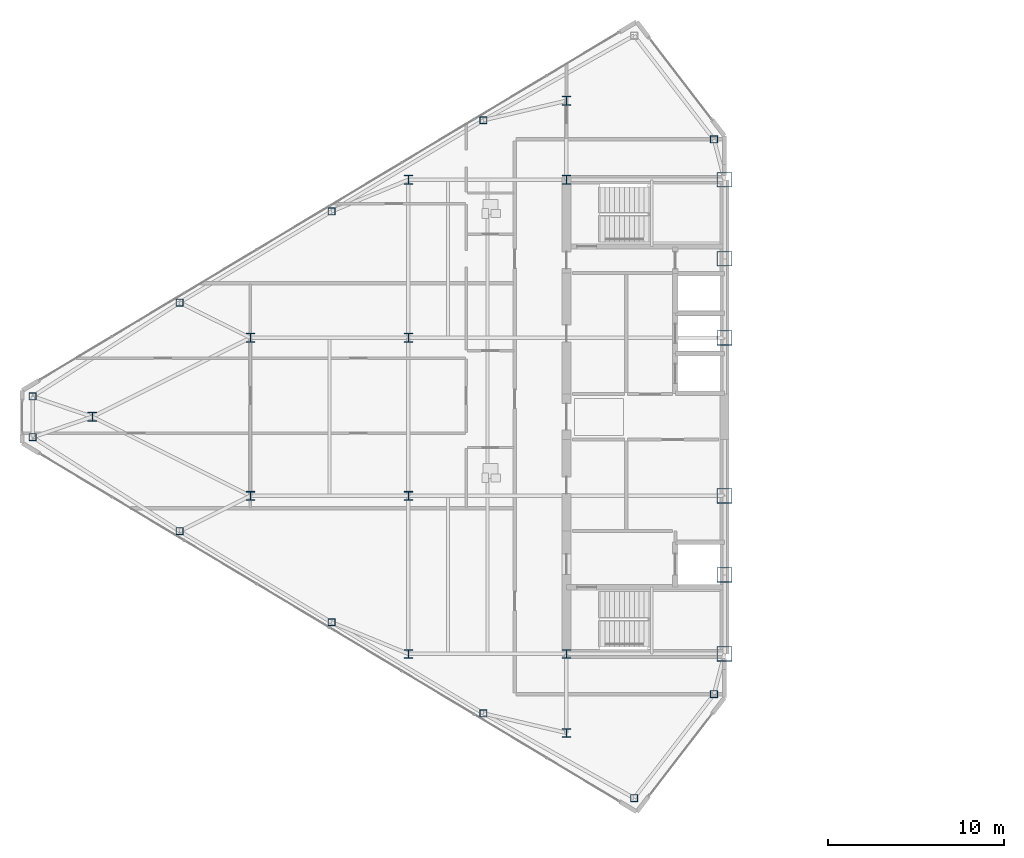
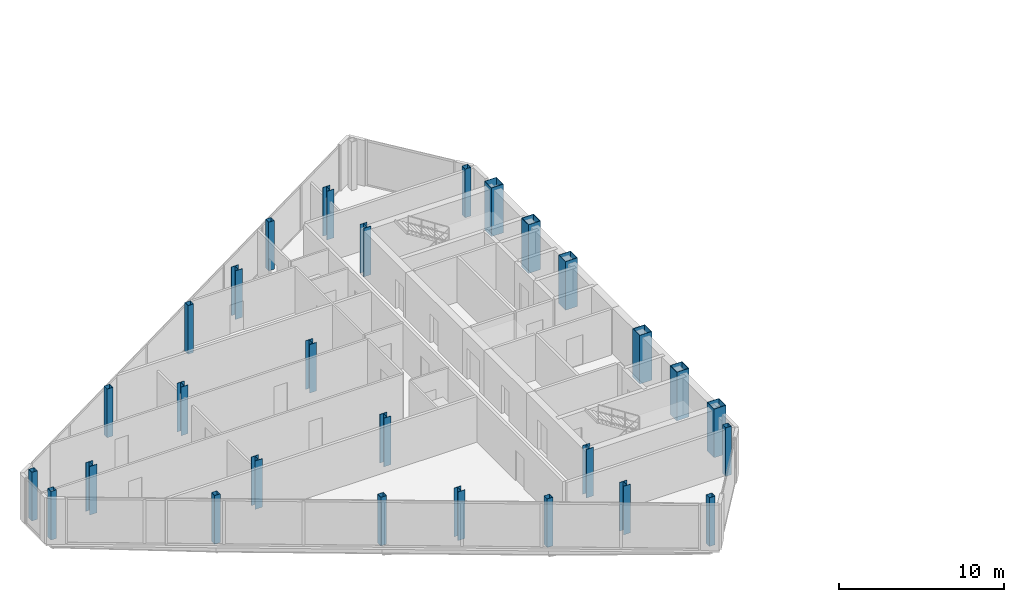
# One storey, part 1 of 25: 28 columns.
"""IFC4 building model written with IfcOpenShell, lengths in metres."""

from ifc_helpers import new_model, si_unit, direction, frame, origin, origin_2d, place, context, subcontext, project, spatial, hollow_rectangle, i_section, extrude, source, transform, mapped, material, material_profile, profile_set, type_object, type_shapes, element, save


model = new_model("IFC4")

# Units and contexts
model_context = context("Model", 3, precision=1e-05, world=origin(), true_north=direction((0.0, 1.0)))
body_context = subcontext(model_context, "Body", "Model", "MODEL_VIEW")
ifc_project = project(units=[si_unit("LENGTHUNIT", "METRE"), si_unit("AREAUNIT", "SQUARE_METRE"), si_unit("VOLUMEUNIT", "CUBIC_METRE"), si_unit("PLANEANGLEUNIT", "RADIAN"), si_unit("MASSUNIT", "GRAM", prefix="KILO")], contexts=[model_context])

# Site, building, storey
site_placement = place(None, origin())
site = spatial("IfcSite", under=ifc_project, at=site_placement, CompositionType="ELEMENT")
building_placement = place(site_placement, origin())
building = spatial("IfcBuilding", under=site, at=building_placement, Name="Seokmaru Belvedere", CompositionType="ELEMENT")
storey_placement = place(building_placement, frame((0.0, 0.0, 217.5)))
storey = spatial("IfcBuildingStorey", under=building, at=storey_placement, Name="L58", CompositionType="ELEMENT", Elevation=217.5)

# Columns
ifc_material_1 = material(Name="Steel HSA650 (650 MPa)", Category="steel")
ifc_material_profile_1 = material_profile(ifc_material_1, hollow_rectangle(XDim=0.85009765625, YDim=0.85009765625, WallThickness=0.035888671875, at=origin_2d()), Name="BOX-850x850x36")
ifc_profile_set_1 = profile_set([ifc_material_profile_1], Name="Steel HSA650 (650 MPa)")
column_type_1 = type_object("IfcColumnType", Name="Portal Spine Column BOX-850", PredefinedType="COLUMN", material=ifc_profile_set_1)
shared_shape_1 = source(origin(), body_context, "Body", "SweptSolid", [
    extrude(hollow_rectangle(XDim=0.85009765625, YDim=0.85009765625, WallThickness=0.035888671875, at=origin_2d()), origin(), (0.0, 0.0, 1.0), 3.60009765625),
])
type_shapes(column_type_1, [shared_shape_1])
for number, where, z_axis, x_axis, name in (
    (1, (-27.5, -13.5, 0.0), (0.0, 0.0, 1.0), (1.0, 0.0, 0.0), "L58 Column WS1"),
    (2, (-27.5, -9.0, 0.0), (0.0, 0.0, 1.0), (1.0, 0.0, 0.0), "L58 Column WS2"),
    (3, (-27.5, -4.5, 0.0), (0.0, 0.0, 1.0), (1.0, 0.0, 0.0), "L58 Column WS3"),
    (4, (-27.5, 4.5, 0.0), (0.0, 0.0, 1.0), (1.0, 0.0, 0.0), "L58 Column WS4"),
    (5, (-27.5, 9.0, 0.0), (0.0, 0.0, 1.0), (1.0, 0.0, 0.0), "L58 Column WS5"),
    (6, (-27.5, 13.5, 0.0), (0.0, 0.0, 1.0), (1.0, 0.0, 0.0), "L58 Column WS6"),
):
    element("IfcColumn", number, at=place(storey_placement, frame(where, z_axis=z_axis, x_axis=x_axis)), inside=storey, type_object=column_type_1, Name=name, PredefinedType="COLUMN", context=body_context, shape_type="MappedRepresentation", body=[
        mapped(shared_shape_1, transform((0.0, 0.0, 0.0), scale=1.0)),
    ])
ifc_material_2 = material(Name="Steel SM355 (355 MPa)", Category="steel")
ifc_material_profile_2 = material_profile(ifc_material_2, i_section(OverallWidth=0.5, OverallDepth=0.5, WebThickness=0.02001953125, FlangeThickness=0.031982421875, at=origin_2d()), Name="H-500x500x20x32")
ifc_profile_set_2 = profile_set([ifc_material_profile_2], Name="Steel SM355 (355 MPa)")
column_type_2 = type_object("IfcColumnType", Name="High-Rise Interior Column H-500", PredefinedType="COLUMN", material=ifc_profile_set_2)
shared_shape_2 = source(origin(), body_context, "Body", "SweptSolid", [
    extrude(i_section(OverallWidth=0.5, OverallDepth=0.5, WebThickness=0.02001953125, FlangeThickness=0.031982421875, at=origin_2d()), origin(), (0.0, 0.0, 1.0), 3.60009765625),
])
type_shapes(column_type_2, [shared_shape_2])
for number, where, z_axis, x_axis, name in (
    (7, (-36.5, -18.0, 0.0), (0.0, 0.0, 1.0), (1.0, 0.0, 0.0), "L58 Column WC1"),
    (8, (-36.5, -13.5, 0.0), (0.0, 0.0, 1.0), (1.0, 0.0, 0.0), "L58 Column WC2"),
    (9, (-36.5, 13.5, 0.0), (0.0, 0.0, 1.0), (1.0, 0.0, 0.0), "L58 Column WC3"),
    (10, (-36.5, 18.0, 0.0), (0.0, 0.0, 1.0), (1.0, 0.0, 0.0), "L58 Column WC4"),
    (11, (-45.5, -13.5, 0.0), (0.0, 0.0, 1.0), (1.0, 0.0, 0.0), "L58 Column WG5_1"),
    (12, (-45.5, -4.5, 0.0), (0.0, 0.0, 1.0), (1.0, 0.0, 0.0), "L58 Column WG5_2"),
    (13, (-45.5, 4.5, 0.0), (0.0, 0.0, 1.0), (1.0, 0.0, 0.0), "L58 Column WG5_3"),
    (14, (-45.5, 13.5, 0.0), (0.0, 0.0, 1.0), (1.0, 0.0, 0.0), "L58 Column WG5_4"),
    (15, (-54.5, -4.5, 0.0), (0.0, 0.0, 1.0), (1.0, 0.0, 0.0), "L58 Column WG4P_1"),
    (16, (-54.5, 4.5, 0.0), (0.0, 0.0, 1.0), (1.0, 0.0, 0.0), "L58 Column WG4P_2"),
    (17, (-63.5, 0.0, 0.0), (0.0, 0.0, 1.0), (1.0, 0.0, 0.0), "L58 Column WG3P_1"),
):
    element("IfcColumn", number, at=place(storey_placement, frame(where, z_axis=z_axis, x_axis=x_axis)), inside=storey, type_object=column_type_2, Name=name, PredefinedType="COLUMN", context=body_context, shape_type="MappedRepresentation", body=[
        mapped(shared_shape_2, transform((0.0, 0.0, 0.0), scale=1.0)),
    ])
ifc_material_profile_3 = material_profile(ifc_material_2, hollow_rectangle(XDim=0.39990234375, YDim=0.39990234375, WallThickness=0.01611328125, at=origin_2d()), Name="HSS-400x400x16")
ifc_profile_set_3 = profile_set([ifc_material_profile_3], Name="Steel SM355 (355 MPa)")
column_type_3 = type_object("IfcColumnType", Name="Perimeter Facet Column HSS-400", PredefinedType="COLUMN", material=ifc_profile_set_3)
shared_shape_3 = source(origin(), body_context, "Body", "SweptSolid", [
    extrude(hollow_rectangle(XDim=0.39990234375, YDim=0.39990234375, WallThickness=0.01611328125, at=origin_2d()), origin(), (0.0, 0.0, 1.0), 3.60009765625),
])
type_shapes(column_type_3, [shared_shape_3])
for number, where, z_axis, x_axis, name in (
    (18, (-28.10009765625, -15.7958984375, 0.0), (0.0, 0.0, 1.0), (1.0, 0.0, 0.0), "L58 Column WF1"),
    (19, (-28.10009765625, 15.7958984375, 0.0), (0.0, 0.0, 1.0), (1.0, 0.0, 0.0), "L58 Column WF2"),
    (20, (-66.89990234375, 1.160400390625, 0.0), (0.0, 0.0, 1.0), (1.0, 0.0, 0.0), "L58 Column WF4"),
    (21, (-66.89990234375, -1.160400390625, 0.0), (0.0, 0.0, 1.0), (1.0, 0.0, 0.0), "L58 Column WF5"),
    (22, (-32.649658203125, -21.71044921875, 0.0), (0.0, 0.0, 1.0), (1.0, 0.0, 0.0), "L58 Column WF6"),
    (23, (-41.229736328125, -16.888916015625, 0.0), (0.0, 0.0, 1.0), (1.0, 0.0, 0.0), "L58 Column WFLK_S1"),
    (24, (-49.8798828125, -11.698974609375, 0.0), (0.0, 0.0, 1.0), (1.0, 0.0, 0.0), "L58 Column WFLK_S2"),
    (25, (-58.530029296875, -6.5087890625, 0.0), (0.0, 0.0, 1.0), (1.0, 0.0, 0.0), "L58 Column WFLK_S3"),
    (26, (-41.229736328125, 16.888916015625, 0.0), (0.0, 0.0, 1.0), (1.0, 0.0, 0.0), "L58 Column WFLK_N1"),
    (27, (-49.8798828125, 11.698974609375, 0.0), (0.0, 0.0, 1.0), (1.0, 0.0, 0.0), "L58 Column WFLK_N2"),
    (28, (-58.530029296875, 6.5087890625, 0.0), (0.0, 0.0, 1.0), (1.0, 0.0, 0.0), "L58 Column WFLK_N3"),
):
    element("IfcColumn", number, at=place(storey_placement, frame(where, z_axis=z_axis, x_axis=x_axis)), inside=storey, type_object=column_type_3, Name=name, PredefinedType="COLUMN", context=body_context, shape_type="MappedRepresentation", body=[
        mapped(shared_shape_3, transform((0.0, 0.0, 0.0), scale=1.0)),
    ])

save(model, "model.ifc")
